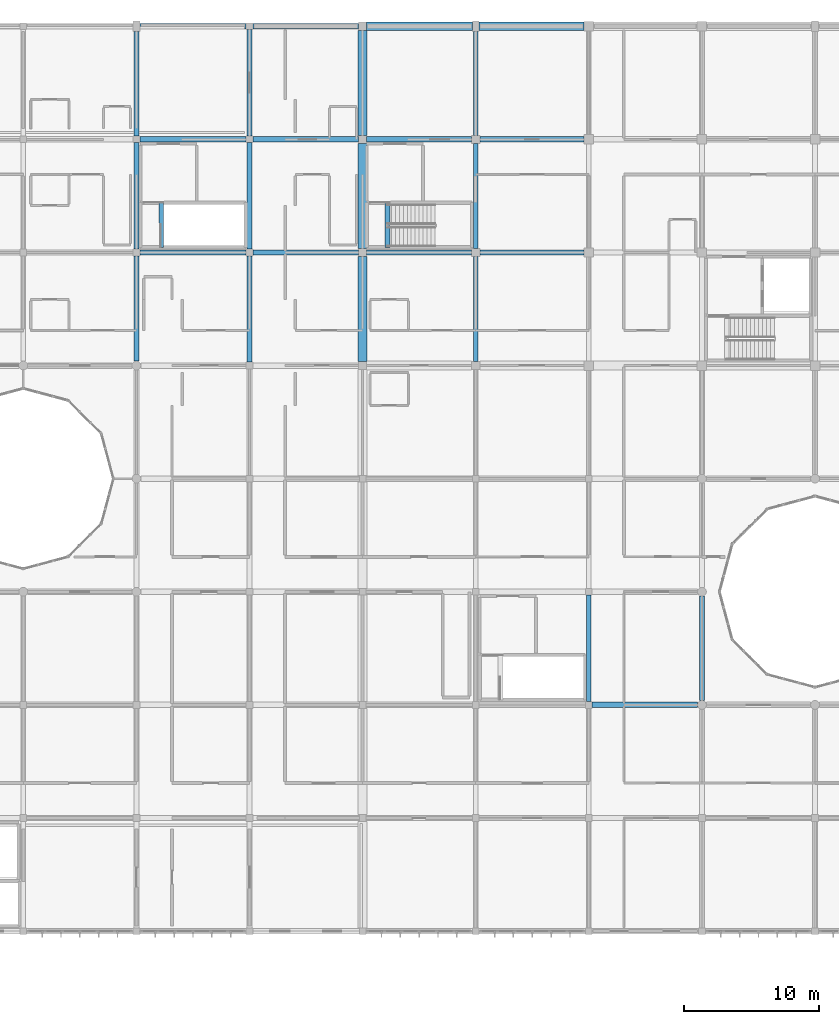
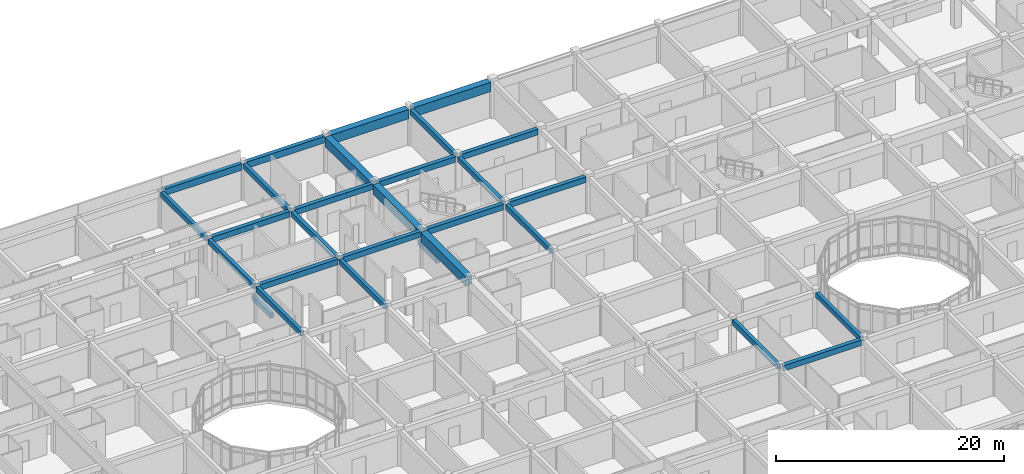
# One storey, part 29 of 119: 29 beams.
"""IFC4 building model written with IfcOpenShell, lengths in metres."""

from ifc_helpers import new_model, si_unit, direction, frame, origin, origin_2d, place, context, subcontext, project, spatial, rectangle, extrude, material, material_profile, profile_set, type_object, element, save


model = new_model("IFC4")

# Units and contexts
model_context = context("Model", 3, precision=1e-05, world=origin(), true_north=direction((0.0, 1.0)))
body_context = subcontext(model_context, "Body", "Model", "MODEL_VIEW")
ifc_project = project(units=[si_unit("LENGTHUNIT", "METRE"), si_unit("AREAUNIT", "SQUARE_METRE"), si_unit("VOLUMEUNIT", "CUBIC_METRE"), si_unit("PLANEANGLEUNIT", "RADIAN"), si_unit("MASSUNIT", "GRAM", prefix="KILO")], contexts=[model_context])

# Site, building, storey
site_placement = place(None, origin())
site = spatial("IfcSite", under=ifc_project, at=site_placement, CompositionType="ELEMENT")
building_placement = place(site_placement, origin())
building = spatial("IfcBuilding", under=site, at=building_placement, Name="Bramfleet General Hospital", CompositionType="ELEMENT")
storey_placement = place(building_placement, frame((0.0, 0.0, 14.39990234375)))
storey = spatial("IfcBuildingStorey", under=building, at=storey_placement, Name="L03", CompositionType="ELEMENT", Elevation=14.39990234375)

# Beams
ifc_material_1 = material(Name="Concrete C35/45", Category="concrete")
ifc_material_profile_1 = material_profile(ifc_material_1, rectangle(XDim=0.35009765625, YDim=0.550048828125, at=origin_2d()), Name="RC BM 550x350")
ifc_profile_set_1 = profile_set([ifc_material_profile_1], Name="Concrete C35/45")
beam_type_1 = type_object("IfcBeamType", Name="BM-RC550", PredefinedType="BEAM", material=ifc_profile_set_1)
beam_1_placement = place(storey_placement, frame((33.60009765625, 92.72509765625, 3.614990234375), z_axis=(0.0, 1.0, 0.0), x_axis=(-1.0, 0.0, 0.0)))
element("IfcBeam", 1, at=beam_1_placement, inside=storey, type_object=beam_type_1, Name="L03 Grid Beam Y 04-11", PredefinedType="BEAM", context=body_context, shape_type="SweptSolid", body=[
    extrude(rectangle(XDim=0.35009765625, YDim=0.550048828125, at=origin_2d()), origin(), (0.0, 0.0, 1.0), 7.824951171875),
])
beam_2_placement = place(storey_placement, frame((33.60009765625, 101.050048828125, 3.614990234375), z_axis=(0.0, 1.0, 0.0), x_axis=(-1.0, 0.0, 0.0)))
element("IfcBeam", 2, at=beam_2_placement, inside=storey, type_object=beam_type_1, Name="L03 Grid Beam Y 04-12", PredefinedType="BEAM", context=body_context, shape_type="SweptSolid", body=[
    extrude(rectangle(XDim=0.35009765625, YDim=0.550048828125, at=origin_2d()), origin(), (0.0, 0.0, 1.0), 7.89990234375),
])
beam_3_placement = place(storey_placement, frame((33.60009765625, 109.449951171875, 3.625), z_axis=(0.0, 1.0, 0.0), x_axis=(-1.0, 0.0, 0.0)))
element("IfcBeam", 3, at=beam_3_placement, inside=storey, type_object=beam_type_1, Name="L03 Grid Beam Y 04-13", PredefinedType="BEAM", context=body_context, shape_type="SweptSolid", body=[
    extrude(rectangle(XDim=0.35009765625, YDim=0.550048828125, at=origin_2d()), origin(), (0.0, 0.0, 1.0), 7.775146484375),
])
beam_4_placement = place(storey_placement, frame((42.0, 92.64990234375, 3.614990234375), z_axis=(0.0, 1.0, 0.0), x_axis=(-1.0, 0.0, 0.0)))
element("IfcBeam", 4, at=beam_4_placement, inside=storey, type_object=beam_type_1, Name="L03 Grid Beam Y 05-11", PredefinedType="BEAM", context=body_context, shape_type="SweptSolid", body=[
    extrude(rectangle(XDim=0.35009765625, YDim=0.550048828125, at=origin_2d()), origin(), (0.0, 0.0, 1.0), 7.900146484375),
])
beam_5_placement = place(storey_placement, frame((42.0, 101.050048828125, 3.614990234375), z_axis=(0.0, 1.0, 0.0), x_axis=(-1.0, 0.0, 0.0)))
element("IfcBeam", 5, at=beam_5_placement, inside=storey, type_object=beam_type_1, Name="L03 Grid Beam Y 05-12", PredefinedType="BEAM", context=body_context, shape_type="SweptSolid", body=[
    extrude(rectangle(XDim=0.35009765625, YDim=0.550048828125, at=origin_2d()), origin(), (0.0, 0.0, 1.0), 7.89990234375),
])
beam_6_placement = place(storey_placement, frame((42.0, 109.449951171875, 3.625), z_axis=(0.0, 1.0, 0.0), x_axis=(-1.0, 0.0, 0.0)))
element("IfcBeam", 6, at=beam_6_placement, inside=storey, type_object=beam_type_1, Name="L03 Grid Beam Y 05-13", PredefinedType="BEAM", context=body_context, shape_type="SweptSolid", body=[
    extrude(rectangle(XDim=0.35009765625, YDim=0.550048828125, at=origin_2d()), origin(), (0.0, 0.0, 1.0), 7.900146484375),
])
beam_7_placement = place(storey_placement, frame((58.800048828125, 92.699951171875, 3.625), z_axis=(0.0, 1.0, 0.0), x_axis=(-1.0, 0.0, 0.0)))
element("IfcBeam", 7, at=beam_7_placement, inside=storey, type_object=beam_type_1, Name="L03 Grid Beam Y 07-11", PredefinedType="BEAM", context=body_context, shape_type="SweptSolid", body=[
    extrude(rectangle(XDim=0.35009765625, YDim=0.550048828125, at=origin_2d()), origin(), (0.0, 0.0, 1.0), 7.800048828125),
])
beam_8_placement = place(storey_placement, frame((58.800048828125, 101.10009765625, 3.625), z_axis=(0.0, 1.0, 0.0), x_axis=(-1.0, 0.0, 0.0)))
element("IfcBeam", 8, at=beam_8_placement, inside=storey, type_object=beam_type_1, Name="L03 Grid Beam Y 07-12", PredefinedType="BEAM", context=body_context, shape_type="SweptSolid", body=[
    extrude(rectangle(XDim=0.35009765625, YDim=0.550048828125, at=origin_2d()), origin(), (0.0, 0.0, 1.0), 7.7998046875),
])
beam_9_placement = place(storey_placement, frame((58.800048828125, 109.5, 3.625), z_axis=(0.0, 1.0, 0.0), x_axis=(-1.0, 0.0, 0.0)))
element("IfcBeam", 9, at=beam_9_placement, inside=storey, type_object=beam_type_1, Name="L03 Grid Beam Y 07-13", PredefinedType="BEAM", context=body_context, shape_type="SweptSolid", body=[
    extrude(rectangle(XDim=0.35009765625, YDim=0.550048828125, at=origin_2d()), origin(), (0.0, 0.0, 1.0), 7.72509765625),
])
beam_10_placement = place(storey_placement, frame((67.199951171875, 67.449951171875, 3.614990234375), z_axis=(0.0, 1.0, 0.0), x_axis=(-1.0, 0.0, 0.0)))
element("IfcBeam", 10, at=beam_10_placement, inside=storey, type_object=beam_type_1, Name="L03 Grid Beam Y 08-08", PredefinedType="BEAM", context=body_context, shape_type="SweptSolid", body=[
    extrude(rectangle(XDim=0.35009765625, YDim=0.550048828125, at=origin_2d()), origin(), (0.0, 0.0, 1.0), 7.900146484375),
])
beam_11_placement = place(storey_placement, frame((75.60009765625, 67.52490234375, 3.614990234375), z_axis=(0.0, 1.0, 0.0), x_axis=(-1.0, 0.0, 0.0)))
element("IfcBeam", 11, at=beam_11_placement, inside=storey, type_object=beam_type_1, Name="L03 Grid Beam Y 09-08", PredefinedType="BEAM", context=body_context, shape_type="SweptSolid", body=[
    extrude(rectangle(XDim=0.35009765625, YDim=0.550048828125, at=origin_2d()), origin(), (0.0, 0.0, 1.0), 7.75),
])
for number, where, z_axis, x_axis, name in (
    (12, (35.43994140625, 101.179931640625, -0.27490234375), (0.0, 1.0, 0.0), (-1.0, 0.0, 0.0), "L03 C8 Stairwell Trimmer Beam"),
    (13, (52.239990234375, 101.179931640625, -0.27490234375), (0.0, 1.0, 0.0), (-1.0, 0.0, 0.0), "L03 C14 Stairwell Trimmer Beam"),
):
    element("IfcBeam", number, at=place(storey_placement, frame(where, z_axis=z_axis, x_axis=x_axis)), inside=storey, type_object=beam_type_1, Name=name, PredefinedType="BEAM", context=body_context, shape_type="SweptSolid", body=[
        extrude(rectangle(XDim=0.35009765625, YDim=0.550048828125, at=origin_2d()), origin(), (0.0, 0.0, 1.0), 3.320068359375),
    ])
ifc_material_profile_2 = material_profile(ifc_material_1, rectangle(XDim=0.39990234375, YDim=0.60009765625, at=origin_2d()), Name="RC BM 600x400")
ifc_profile_set_2 = profile_set([ifc_material_profile_2], Name="Concrete C35/45")
beam_type_2 = type_object("IfcBeamType", Name="BM-RC600", PredefinedType="BEAM", material=ifc_profile_set_2)
for number, where, z_axis, x_axis, name in (
    (14, (33.85009765625, 100.800048828125, 3.590087890625), (1.0, 0.0, 0.0), (0.0, 1.0, 0.0), "L03 Grid Beam X 04-12"),
    (15, (33.85009765625, 109.199951171875, 3.590087890625), (1.0, 0.0, 0.0), (0.0, 1.0, 0.0), "L03 Grid Beam X 04-13"),
):
    element("IfcBeam", number, at=place(storey_placement, frame(where, z_axis=z_axis, x_axis=x_axis)), inside=storey, type_object=beam_type_2, Name=name, PredefinedType="BEAM", context=body_context, shape_type="SweptSolid", body=[
        extrude(rectangle(XDim=0.39990234375, YDim=0.60009765625, at=origin_2d()), origin(), (0.0, 0.0, 1.0), 7.89990234375),
    ])
for number, where, z_axis, x_axis, name in (
    (16, (42.25, 100.800048828125, 3.60009765625), (1.0, 0.0, 0.0), (0.0, 1.0, 0.0), "L03 Grid Beam X 05-12"),
    (17, (42.25, 109.199951171875, 3.60009765625), (1.0, 0.0, 0.0), (0.0, 1.0, 0.0), "L03 Grid Beam X 05-13"),
):
    element("IfcBeam", number, at=place(storey_placement, frame(where, z_axis=z_axis, x_axis=x_axis)), inside=storey, type_object=beam_type_2, Name=name, PredefinedType="BEAM", context=body_context, shape_type="SweptSolid", body=[
        extrude(rectangle(XDim=0.39990234375, YDim=0.60009765625, at=origin_2d()), origin(), (0.0, 0.0, 1.0), 7.85009765625),
    ])
for number, where, z_axis, x_axis, name in (
    (18, (50.699951171875, 100.800048828125, 3.60009765625), (1.0, 0.0, 0.0), (0.0, 1.0, 0.0), "L03 Grid Beam X 06-12"),
    (19, (50.699951171875, 109.199951171875, 3.60009765625), (1.0, 0.0, 0.0), (0.0, 1.0, 0.0), "L03 Grid Beam X 06-13"),
):
    element("IfcBeam", number, at=place(storey_placement, frame(where, z_axis=z_axis, x_axis=x_axis)), inside=storey, type_object=beam_type_2, Name=name, PredefinedType="BEAM", context=body_context, shape_type="SweptSolid", body=[
        extrude(rectangle(XDim=0.39990234375, YDim=0.60009765625, at=origin_2d()), origin(), (0.0, 0.0, 1.0), 7.800048828125),
    ])
for number, where, z_axis, x_axis, name in (
    (20, (59.10009765625, 100.800048828125, 3.60009765625), (1.0, 0.0, 0.0), (0.0, 1.0, 0.0), "L03 Grid Beam X 07-12"),
    (21, (59.10009765625, 109.199951171875, 3.60009765625), (1.0, 0.0, 0.0), (0.0, 1.0, 0.0), "L03 Grid Beam X 07-13"),
):
    element("IfcBeam", number, at=place(storey_placement, frame(where, z_axis=z_axis, x_axis=x_axis)), inside=storey, type_object=beam_type_2, Name=name, PredefinedType="BEAM", context=body_context, shape_type="SweptSolid", body=[
        extrude(rectangle(XDim=0.39990234375, YDim=0.60009765625, at=origin_2d()), origin(), (0.0, 0.0, 1.0), 7.75),
    ])
beam_12_placement = place(storey_placement, frame((67.449951171875, 67.199951171875, 3.590087890625), z_axis=(1.0, 0.0, 0.0), x_axis=(0.0, 1.0, 0.0)))
element("IfcBeam", 22, at=beam_12_placement, inside=storey, type_object=beam_type_2, Name="L03 Grid Beam X 08-08", PredefinedType="BEAM", context=body_context, shape_type="SweptSolid", body=[
    extrude(rectangle(XDim=0.39990234375, YDim=0.60009765625, at=origin_2d()), origin(), (0.0, 0.0, 1.0), 7.824951171875),
])
ifc_material_profile_3 = material_profile(ifc_material_1, rectangle(XDim=0.39990234375, YDim=0.699951171875, at=origin_2d()), Name="RC SP 700x400")
ifc_profile_set_3 = profile_set([ifc_material_profile_3], Name="Concrete C35/45")
beam_type_3 = type_object("IfcBeamType", Name="BM-SP700", PredefinedType="SPANDREL", material=ifc_profile_set_3)
beam_13_placement = place(storey_placement, frame((33.85009765625, 117.60009765625, 3.550048828125), z_axis=(1.0, 0.0, 0.0), x_axis=(0.0, 1.0, 0.0)))
element("IfcBeam", 23, at=beam_13_placement, inside=storey, type_object=beam_type_3, Name="L03 Grid Beam X 04-14", PredefinedType="SPANDREL", context=body_context, shape_type="SweptSolid", body=[
    extrude(rectangle(XDim=0.39990234375, YDim=0.699951171875, at=origin_2d()), origin(), (0.0, 0.0, 1.0), 7.89990234375),
])
beam_14_placement = place(storey_placement, frame((42.25, 117.60009765625, 3.550048828125), z_axis=(1.0, 0.0, 0.0), x_axis=(0.0, 1.0, 0.0)))
element("IfcBeam", 24, at=beam_14_placement, inside=storey, type_object=beam_type_3, Name="L03 Grid Beam X 05-14", PredefinedType="SPANDREL", context=body_context, shape_type="SweptSolid", body=[
    extrude(rectangle(XDim=0.39990234375, YDim=0.699951171875, at=origin_2d()), origin(), (0.0, 0.0, 1.0), 7.85009765625),
])
ifc_material_2 = material(Name="Concrete C40/50", Category="concrete")
ifc_material_profile_4 = material_profile(ifc_material_2, rectangle(XDim=0.64990234375, YDim=1.0, at=origin_2d()), Name="RC TG 1000x650")
ifc_profile_set_4 = profile_set([ifc_material_profile_4], Name="Concrete C40/50")
beam_type_4 = type_object("IfcBeamType", Name="BM-TG1000", PredefinedType="BEAM", material=ifc_profile_set_4)
beam_15_placement = place(storey_placement, frame((50.699951171875, 117.60009765625, 3.400146484375), z_axis=(1.0, 0.0, 0.0), x_axis=(0.0, 1.0, 0.0)))
element("IfcBeam", 25, at=beam_15_placement, inside=storey, type_object=beam_type_4, Name="L03 Transfer Girder X 06-14", PredefinedType="BEAM", context=body_context, shape_type="SweptSolid", body=[
    extrude(rectangle(XDim=0.64990234375, YDim=1.0, at=origin_2d()), origin(), (0.0, 0.0, 1.0), 7.85009765625),
])
for number, where, z_axis, x_axis, name in (
    (26, (59.050048828125, 117.60009765625, 3.400146484375), (1.0, 0.0, 0.0), (0.0, 1.0, 0.0), "L03 Transfer Girder X 07-14"),
    (27, (50.39990234375, 92.699951171875, 3.400146484375), (0.0, 1.0, 0.0), (-1.0, 0.0, 0.0), "L03 Transfer Girder Y 06-11"),
):
    element("IfcBeam", number, at=place(storey_placement, frame(where, z_axis=z_axis, x_axis=x_axis)), inside=storey, type_object=beam_type_4, Name=name, PredefinedType="BEAM", context=body_context, shape_type="SweptSolid", body=[
        extrude(rectangle(XDim=0.64990234375, YDim=1.0, at=origin_2d()), origin(), (0.0, 0.0, 1.0), 7.800048828125),
    ])
beam_16_placement = place(storey_placement, frame((50.39990234375, 101.10009765625, 3.400146484375), z_axis=(0.0, 1.0, 0.0), x_axis=(-1.0, 0.0, 0.0)))
element("IfcBeam", 28, at=beam_16_placement, inside=storey, type_object=beam_type_4, Name="L03 Transfer Girder Y 06-12", PredefinedType="BEAM", context=body_context, shape_type="SweptSolid", body=[
    extrude(rectangle(XDim=0.64990234375, YDim=1.0, at=origin_2d()), origin(), (0.0, 0.0, 1.0), 7.7998046875),
])
beam_17_placement = place(storey_placement, frame((50.39990234375, 109.5, 3.400146484375), z_axis=(0.0, 1.0, 0.0), x_axis=(-1.0, 0.0, 0.0)))
element("IfcBeam", 29, at=beam_17_placement, inside=storey, type_object=beam_type_4, Name="L03 Transfer Girder Y 06-13", PredefinedType="BEAM", context=body_context, shape_type="SweptSolid", body=[
    extrude(rectangle(XDim=0.64990234375, YDim=1.0, at=origin_2d()), origin(), (0.0, 0.0, 1.0), 7.800048828125),
])

save(model, "model.ifc")
